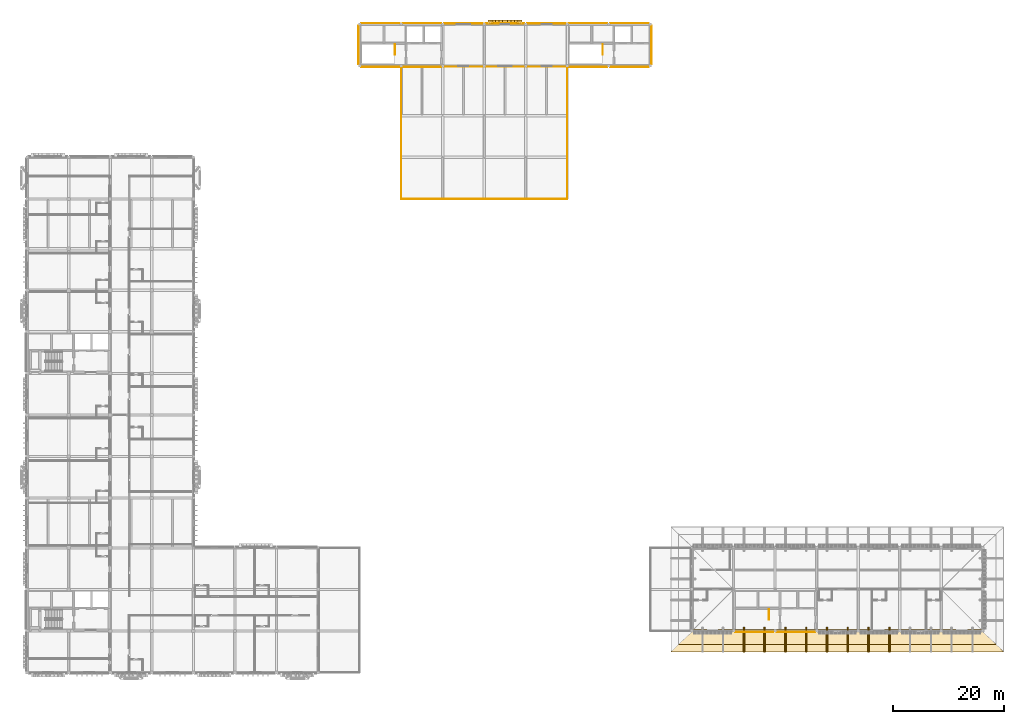
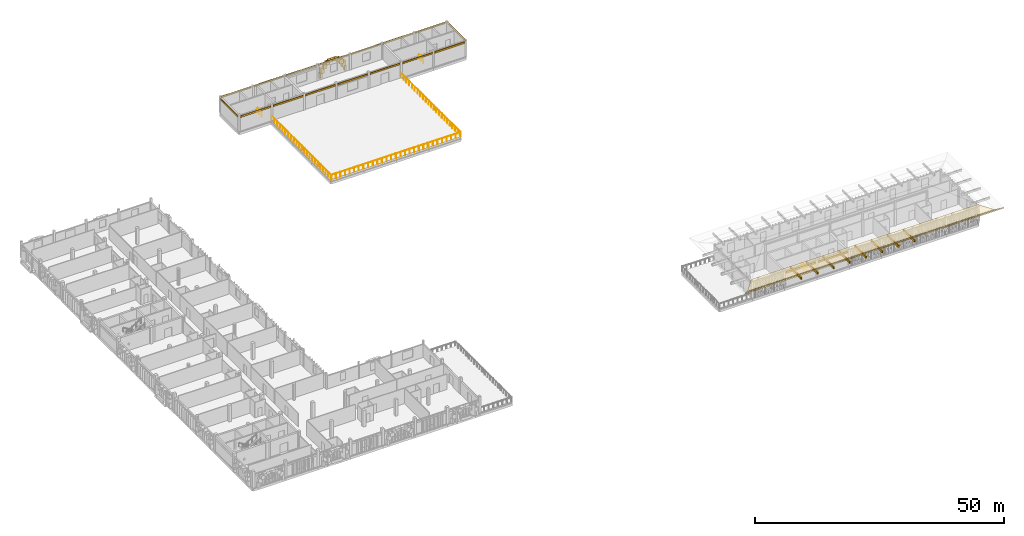
# One storey, part 31 of 33: 39 coverings, 13 railings.
"""IFC4 building model written with IfcOpenShell, lengths in metres."""

from ifc_helpers import new_model, si_unit, direction, frame, origin, origin_2d, place, context, subcontext, project, spatial, polyline, rectangle, circle, outline, extrude, material, layer, layer_set, type_object, element, save


model = new_model("IFC4")

# Units and contexts
model_context = context("Model", 3, precision=1e-05, world=origin(), true_north=direction((0.0, 1.0)))
body_context = subcontext(model_context, "Body", "Model", "MODEL_VIEW")
ifc_project = project(units=[si_unit("LENGTHUNIT", "METRE"), si_unit("AREAUNIT", "SQUARE_METRE"), si_unit("VOLUMEUNIT", "CUBIC_METRE"), si_unit("PLANEANGLEUNIT", "RADIAN"), si_unit("MASSUNIT", "GRAM", prefix="KILO")], contexts=[model_context])

# Site, building, storey
site_placement = place(None, origin())
site = spatial("IfcSite", under=ifc_project, at=site_placement, CompositionType="ELEMENT")
building_placement = place(site_placement, origin())
building = spatial("IfcBuilding", under=site, at=building_placement, Name="Dalvernix Boulevard General Hospital", CompositionType="ELEMENT")
storey_placement = place(building_placement, frame((0.0, 0.0, 21.89990234375)))
storey = spatial("IfcBuildingStorey", under=building, at=storey_placement, Name="L05", CompositionType="ELEMENT", Elevation=21.89990234375)

# Coverings
ifc_material_1 = material(Name="Pressed Catalan clay brick and dressed limestone parabolic archivolt", Category="masonry")
ifc_layer_1 = layer(ifc_material_1, 0.419921875)
ifc_layer_set_1 = layer_set([ifc_layer_1], Name="Pressed Catalan clay brick and dressed limestone parabolic archivolt (COV-ARC-01)")
covering_type_1 = type_object("IfcCoveringType", Name="COV-ARC-01", PredefinedType="CLADDING", material=ifc_layer_set_1)
for number, where, z_axis, x_axis, name in (
    (1, (83.449951171875, 117.4599609375, 0.0), (0.0, 0.0, 1.0), (1.0, 0.0, 0.0), "L05 Catalan parabolic arch impost pier N 11-15-L"),
    (2, (89.050048828125, 117.4599609375, 0.0), (0.0, 0.0, 1.0), (1.0, 0.0, 0.0), "L05 Catalan parabolic arch impost pier N 11-15-R"),
):
    element("IfcCovering", number, at=place(storey_placement, frame(where, z_axis=z_axis, x_axis=x_axis)), inside=storey, type_object=covering_type_1, Name=name, PredefinedType="CLADDING", context=body_context, shape_type="SweptSolid", body=[
        extrude(rectangle(XDim=0.4599609375, YDim=0.659912109375, at=origin_2d()), origin(), (0.0, 0.0, 1.0), 1.25),
    ])
covering_1_placement = place(storey_placement, frame((83.760986328125, 117.4599609375, 1.06005859375), z_axis=(0.0, 0.0, 1.0), x_axis=(1.0, 0.0, 0.0)))
element("IfcCovering", 3, at=covering_1_placement, inside=storey, type_object=covering_type_1, Name="L05 Catalan parabolic archivolt voussoir N 11-15-1", PredefinedType="CLADDING", context=body_context, shape_type="SweptSolid", body=[
    extrude(rectangle(XDim=0.8623046875, YDim=0.659912109375, at=origin_2d()), origin(), (0.0, 0.0, 1.0), 1.328125),
])
covering_2_placement = place(storey_placement, frame((84.38330078125, 117.4599609375, 2.00830078125), z_axis=(0.0, 0.0, 1.0), x_axis=(1.0, 0.0, 0.0)))
element("IfcCovering", 4, at=covering_2_placement, inside=storey, type_object=covering_type_1, Name="L05 Catalan parabolic archivolt voussoir N 11-15-2", PredefinedType="CLADDING", context=body_context, shape_type="SweptSolid", body=[
    extrude(rectangle(XDim=0.8623046875, YDim=0.659912109375, at=origin_2d()), origin(), (0.0, 0.0, 1.0), 1.091064453125),
])
covering_3_placement = place(storey_placement, frame((85.005615234375, 117.4599609375, 2.719482421875), z_axis=(0.0, 0.0, 1.0), x_axis=(1.0, 0.0, 0.0)))
element("IfcCovering", 5, at=covering_3_placement, inside=storey, type_object=covering_type_1, Name="L05 Catalan parabolic archivolt voussoir N 11-15-3", PredefinedType="CLADDING", context=body_context, shape_type="SweptSolid", body=[
    extrude(rectangle(XDim=0.8623046875, YDim=0.659912109375, at=origin_2d()), origin(), (0.0, 0.0, 1.0), 0.85400390625),
])
covering_4_placement = place(storey_placement, frame((85.627685546875, 117.4599609375, 3.193359375), z_axis=(0.0, 0.0, 1.0), x_axis=(1.0, 0.0, 0.0)))
element("IfcCovering", 6, at=covering_4_placement, inside=storey, type_object=covering_type_1, Name="L05 Catalan parabolic archivolt voussoir N 11-15-4", PredefinedType="CLADDING", context=body_context, shape_type="SweptSolid", body=[
    extrude(rectangle(XDim=0.8623046875, YDim=0.659912109375, at=origin_2d()), origin(), (0.0, 0.0, 1.0), 0.616943359375),
])
covering_5_placement = place(storey_placement, frame((86.25, 117.4599609375, 3.4306640625), z_axis=(0.0, 0.0, 1.0), x_axis=(1.0, 0.0, 0.0)))
element("IfcCovering", 7, at=covering_5_placement, inside=storey, type_object=covering_type_1, Name="L05 Catalan parabolic archivolt voussoir N 11-15-5", PredefinedType="CLADDING", context=body_context, shape_type="SweptSolid", body=[
    extrude(rectangle(XDim=0.8623046875, YDim=0.659912109375, at=origin_2d()), origin(), (0.0, 0.0, 1.0), 0.3798828125),
])
covering_6_placement = place(storey_placement, frame((86.872314453125, 117.4599609375, 3.193359375), z_axis=(0.0, 0.0, 1.0), x_axis=(1.0, 0.0, 0.0)))
element("IfcCovering", 8, at=covering_6_placement, inside=storey, type_object=covering_type_1, Name="L05 Catalan parabolic archivolt voussoir N 11-15-6", PredefinedType="CLADDING", context=body_context, shape_type="SweptSolid", body=[
    extrude(rectangle(XDim=0.8623046875, YDim=0.659912109375, at=origin_2d()), origin(), (0.0, 0.0, 1.0), 0.616943359375),
])
covering_7_placement = place(storey_placement, frame((87.494384765625, 117.4599609375, 2.719482421875), z_axis=(0.0, 0.0, 1.0), x_axis=(1.0, 0.0, 0.0)))
element("IfcCovering", 9, at=covering_7_placement, inside=storey, type_object=covering_type_1, Name="L05 Catalan parabolic archivolt voussoir N 11-15-7", PredefinedType="CLADDING", context=body_context, shape_type="SweptSolid", body=[
    extrude(rectangle(XDim=0.8623046875, YDim=0.659912109375, at=origin_2d()), origin(), (0.0, 0.0, 1.0), 0.85400390625),
])
covering_8_placement = place(storey_placement, frame((88.11669921875, 117.4599609375, 2.00830078125), z_axis=(0.0, 0.0, 1.0), x_axis=(1.0, 0.0, 0.0)))
element("IfcCovering", 10, at=covering_8_placement, inside=storey, type_object=covering_type_1, Name="L05 Catalan parabolic archivolt voussoir N 11-15-8", PredefinedType="CLADDING", context=body_context, shape_type="SweptSolid", body=[
    extrude(rectangle(XDim=0.8623046875, YDim=0.659912109375, at=origin_2d()), origin(), (0.0, 0.0, 1.0), 1.091064453125),
])
covering_9_placement = place(storey_placement, frame((88.739013671875, 117.4599609375, 1.06005859375), z_axis=(0.0, 0.0, 1.0), x_axis=(1.0, 0.0, 0.0)))
element("IfcCovering", 11, at=covering_9_placement, inside=storey, type_object=covering_type_1, Name="L05 Catalan parabolic archivolt voussoir N 11-15-9", PredefinedType="CLADDING", context=body_context, shape_type="SweptSolid", body=[
    extrude(rectangle(XDim=0.8623046875, YDim=0.659912109375, at=origin_2d()), origin(), (0.0, 0.0, 1.0), 1.328125),
])
ifc_material_2 = material(Name="Polychrome Catalan glazed ceramic spandrel tile panel")
ifc_layer_2 = layer(ifc_material_2, 0.044921875)
ifc_layer_set_2 = layer_set([ifc_layer_2], Name="Polychrome Catalan glazed ceramic spandrel tile panel (COV-CLD-01)")
covering_type_2 = type_object("IfcCoveringType", Name="COV-CLD-01", PredefinedType="CLADDING", material=ifc_layer_set_2)
for number, where, z_axis, x_axis, name in (
    (12, (63.75, 109.304931640625, 3.294921875), (0.0, 0.0, 1.0), (-1.0, 0.0, 0.0), "L05 polychrome ceramic spandrel S 8-14"),
    (13, (63.75, 117.195068359375, 3.294921875), (0.0, 0.0, 1.0), (1.0, 0.0, 0.0), "L05 polychrome ceramic spandrel N 8-15"),
    (14, (59.804931640625, 113.25, 3.294921875), (0.0, 0.0, 1.0), (0.0, 1.0, 0.0), "L05 polychrome ceramic spandrel W 8-14"),
    (15, (71.25, 109.304931640625, 3.294921875), (0.0, 0.0, 1.0), (-1.0, 0.0, 0.0), "L05 polychrome ceramic spandrel S 9-14"),
    (16, (71.25, 117.195068359375, 3.294921875), (0.0, 0.0, 1.0), (1.0, 0.0, 0.0), "L05 polychrome ceramic spandrel N 9-15"),
    (17, (78.75, 109.330078125, 3.294921875), (0.0, 0.0, 1.0), (-1.0, 0.0, 0.0), "L05 polychrome ceramic spandrel S 10-14"),
    (18, (78.75, 117.169921875, 3.294921875), (0.0, 0.0, 1.0), (1.0, 0.0, 0.0), "L05 polychrome ceramic spandrel N 10-15"),
    (19, (86.25, 109.330078125, 3.294921875), (0.0, 0.0, 1.0), (-1.0, 0.0, 0.0), "L05 polychrome ceramic spandrel S 11-14"),
    (20, (86.25, 117.169921875, 3.294921875), (0.0, 0.0, 1.0), (1.0, 0.0, 0.0), "L05 polychrome ceramic spandrel N 11-15"),
    (21, (93.75, 109.330078125, 3.294921875), (0.0, 0.0, 1.0), (-1.0, 0.0, 0.0), "L05 polychrome ceramic spandrel S 12-14"),
    (22, (93.75, 117.169921875, 3.294921875), (0.0, 0.0, 1.0), (1.0, 0.0, 0.0), "L05 polychrome ceramic spandrel N 12-15"),
    (23, (101.25, 109.304931640625, 3.294921875), (0.0, 0.0, 1.0), (-1.0, 0.0, 0.0), "L05 polychrome ceramic spandrel S 13-14"),
    (24, (101.25, 117.195068359375, 3.294921875), (0.0, 0.0, 1.0), (1.0, 0.0, 0.0), "L05 polychrome ceramic spandrel N 13-15"),
    (25, (108.75, 109.304931640625, 3.294921875), (0.0, 0.0, 1.0), (-1.0, 0.0, 0.0), "L05 polychrome ceramic spandrel S 14-14"),
    (26, (108.75, 117.195068359375, 3.294921875), (0.0, 0.0, 1.0), (1.0, 0.0, 0.0), "L05 polychrome ceramic spandrel N 14-15"),
    (27, (112.695068359375, 113.25, 3.294921875), (0.0, 0.0, 1.0), (0.0, -1.0, 0.0), "L05 polychrome ceramic spandrel E 15-14"),
    (28, (131.25, 7.304931640625, 3.294921875), (0.0, 0.0, 1.0), (-1.0, 0.0, 0.0), "L05 polychrome ceramic spandrel S 17-1"),
    (29, (138.75, 7.304931640625, 3.294921875), (0.0, 0.0, 1.0), (-1.0, 0.0, 0.0), "L05 polychrome ceramic spandrel S 18-1"),
):
    element("IfcCovering", number, at=place(storey_placement, frame(where, z_axis=z_axis, x_axis=x_axis)), inside=storey, type_object=covering_type_2, Name=name, PredefinedType="CLADDING", context=body_context, shape_type="SweptSolid", body=[
        extrude(rectangle(XDim=6.929931640625, YDim=0.044921875, at=origin_2d()), origin(), (0.0, 0.0, 1.0), 0.449951171875),
    ])
ifc_material_3 = material(Name="Glazed Catalan terracotta and iroko timber overhanging upturned eave", Category="masonry")
ifc_layer_3 = layer(ifc_material_3, 0.139892578125)
ifc_layer_set_3 = layer_set([ifc_layer_3], Name="Glazed Catalan terracotta and iroko timber overhanging upturned eave (COV-EAVE-01)")
covering_type_3 = type_object("IfcCoveringType", Name="COV-EAVE-01", PredefinedType="CLADDING", material=ifc_layer_set_3)
covering_10_placement = place(storey_placement, frame((120.0, 7.75, 4.31005859375), z_axis=(0.0, -0.185805173125, 0.982586605669), x_axis=(1.0, 0.0, 0.0)))
element("IfcCovering", 30, at=covering_10_placement, inside=storey, type_object=covering_type_3, Name="V5 overhanging ceramic eave skirt S", PredefinedType="CLADDING", context=body_context, shape_type="SweptSolid", body=[
    extrude(outline(polyline([(0.0, 0.0), (52.5, 0.0), (55.0, -2.798735484621844), (-2.5, -2.798735484621844), (0.0, 0.0)])), origin(), (0.0, 0.0, -1.0), 0.139892578125),
])
covering_11_placement = place(storey_placement, frame((117.5, 5.080078125, 3.7900390625), z_axis=(0.0, 0.543014792189, 0.839723130242), x_axis=(1.0, 0.0, 0.0)))
element("IfcCovering", 31, at=covering_11_placement, inside=storey, type_object=covering_type_3, Name="V5 upturned ceramic eave wing S", PredefinedType="CLADDING", context=body_context, shape_type="SweptSolid", body=[
    extrude(outline(polyline([(0.0, 0.0), (57.5, 0.0), (58.75, -1.5839484195414872), (-1.25, -1.5839484195414872), (0.0, 0.0)])), origin(), (0.0, 0.0, -1.0), 0.139892578125),
])
ifc_material_4 = material(Name="Preservative-treated glulam GL28h eave outlooker corbel bracket", Category="wood")
ifc_layer_4 = layer(ifc_material_4, 0.239990234375)
ifc_layer_set_4 = layer_set([ifc_layer_4], Name="Preservative-treated glulam GL28h eave outlooker corbel bracket (COV-OUTLOOK-01)")
covering_type_4 = type_object("IfcCoveringType", Name="COV-OUTLOOK-01", PredefinedType="CLADDING", material=ifc_layer_set_4)
for number, where, z_axis, x_axis, name in (
    (32, (129.375, 5.925048828125, 3.39013671875), (0.0, 0.0, 1.0), (1.0, 0.0, 0.0), "V5 glulam eave outlooker corbel S-3"),
    (33, (133.125, 5.925048828125, 3.39013671875), (0.0, 0.0, 1.0), (1.0, 0.0, 0.0), "V5 glulam eave outlooker corbel S-4"),
    (34, (136.875, 5.925048828125, 3.39013671875), (0.0, 0.0, 1.0), (1.0, 0.0, 0.0), "V5 glulam eave outlooker corbel S-5"),
    (35, (140.625, 5.925048828125, 3.39013671875), (0.0, 0.0, 1.0), (1.0, 0.0, 0.0), "V5 glulam eave outlooker corbel S-6"),
    (36, (144.375, 5.925048828125, 3.39013671875), (0.0, 0.0, 1.0), (1.0, 0.0, 0.0), "V5 glulam eave outlooker corbel S-7"),
    (37, (148.125, 5.925048828125, 3.39013671875), (0.0, 0.0, 1.0), (1.0, 0.0, 0.0), "V5 glulam eave outlooker corbel S-8"),
    (38, (151.875, 5.925048828125, 3.39013671875), (0.0, 0.0, 1.0), (1.0, 0.0, 0.0), "V5 glulam eave outlooker corbel S-9"),
    (39, (155.625, 5.925048828125, 3.39013671875), (0.0, 0.0, 1.0), (1.0, 0.0, 0.0), "V5 glulam eave outlooker corbel S-10"),
):
    element("IfcCovering", number, at=place(storey_placement, frame(where, z_axis=z_axis, x_axis=x_axis)), inside=storey, type_object=covering_type_4, Name=name, PredefinedType="CLADDING", context=body_context, shape_type="SweptSolid", body=[
        extrude(rectangle(XDim=0.260009765625, YDim=4.449951171875, at=origin_2d()), origin(), (0.0, 0.0, 1.0), 0.52001953125),
    ])

# Railings
ifc_material_5 = material(Name="Galvanized steel helideck perimeter guard", Category="steel")
railing_type_1 = type_object("IfcRailingType", Name="RL-GR-HELI", PredefinedType="BALUSTRADE", material=ifc_material_5)
railing_1_placement = place(storey_placement, frame((67.5, 100.5400390625, 0.0)))
element("IfcRailing", 40, at=railing_1_placement, inside=storey, type_object=railing_type_1, Name="L05 helideck safety balustrade 1", PredefinedType="BALUSTRADE", context=body_context, shape_type="SweptSolid", body=[
    extrude(circle(Radius=0.02392578125, at=origin_2d()), frame((0.0, 0.0, 1.1259765625), z_axis=(0.0, 1.0, 0.0), x_axis=(-1.0, 0.0, 0.0)), (0.0, 0.0, 1.0), 8.869873046875),
    extrude(circle(Radius=0.02099609375, at=origin_2d()), origin(), (0.0, 0.0, 1.0), 1.101806640625),
    extrude(circle(Radius=0.02099609375, at=origin_2d()), frame((0.0, 1.108642578125, 0.0)), (0.0, 0.0, 1.0), 1.101806640625),
    extrude(circle(Radius=0.02099609375, at=origin_2d()), frame((0.0, 2.217529296875, 0.0)), (0.0, 0.0, 1.0), 1.101806640625),
    extrude(circle(Radius=0.02099609375, at=origin_2d()), frame((0.0, 3.326171875, 0.0)), (0.0, 0.0, 1.0), 1.101806640625),
    extrude(circle(Radius=0.02099609375, at=origin_2d()), frame((0.0, 4.43505859375, 0.0)), (0.0, 0.0, 1.0), 1.101806640625),
    extrude(circle(Radius=0.02099609375, at=origin_2d()), frame((0.0, 5.543701171875, 0.0)), (0.0, 0.0, 1.0), 1.101806640625),
    extrude(circle(Radius=0.02099609375, at=origin_2d()), frame((0.0, 6.65234375, 0.0)), (0.0, 0.0, 1.0), 1.101806640625),
    extrude(circle(Radius=0.02099609375, at=origin_2d()), frame((0.0, 7.76123046875, 0.0)), (0.0, 0.0, 1.0), 1.101806640625),
    extrude(circle(Radius=0.02099609375, at=origin_2d()), frame((0.0, 8.869873046875, 0.0)), (0.0, 0.0, 1.0), 1.101806640625),
])
railing_2_placement = place(storey_placement, frame((97.5, 109.409912109375, 0.0)))
element("IfcRailing", 41, at=railing_2_placement, inside=storey, type_object=railing_type_1, Name="L05 helideck safety balustrade 2", PredefinedType="BALUSTRADE", context=body_context, shape_type="SweptSolid", body=[
    extrude(circle(Radius=0.02392578125, at=origin_2d()), frame((0.0, 0.0, 1.1259765625), z_axis=(0.0, -1.0, 0.0), x_axis=(1.0, 0.0, 0.0)), (0.0, 0.0, 1.0), 8.869873046875),
    extrude(circle(Radius=0.02099609375, at=origin_2d()), origin(), (0.0, 0.0, 1.0), 1.101806640625),
    extrude(circle(Radius=0.02099609375, at=origin_2d()), frame((0.0, -1.108642578125, 0.0)), (0.0, 0.0, 1.0), 1.101806640625),
    extrude(circle(Radius=0.02099609375, at=origin_2d()), frame((0.0, -2.217529296875, 0.0)), (0.0, 0.0, 1.0), 1.101806640625),
    extrude(circle(Radius=0.02099609375, at=origin_2d()), frame((0.0, -3.326171875, 0.0)), (0.0, 0.0, 1.0), 1.101806640625),
    extrude(circle(Radius=0.02099609375, at=origin_2d()), frame((0.0, -4.43505859375, 0.0)), (0.0, 0.0, 1.0), 1.101806640625),
    extrude(circle(Radius=0.02099609375, at=origin_2d()), frame((0.0, -5.543701171875, 0.0)), (0.0, 0.0, 1.0), 1.101806640625),
    extrude(circle(Radius=0.02099609375, at=origin_2d()), frame((0.0, -6.65234375, 0.0)), (0.0, 0.0, 1.0), 1.101806640625),
    extrude(circle(Radius=0.02099609375, at=origin_2d()), frame((0.0, -7.76123046875, 0.0)), (0.0, 0.0, 1.0), 1.101806640625),
    extrude(circle(Radius=0.02099609375, at=origin_2d()), frame((0.0, -8.869873046875, 0.0)), (0.0, 0.0, 1.0), 1.101806640625),
])
for number, where, name in (
    (42, (97.5, 100.4599609375, 0.0), "L05 helideck safety balustrade 3"),
    (43, (97.5, 92.9599609375, 0.0), "L05 helideck safety balustrade 4"),
):
    element("IfcRailing", number, at=place(storey_placement, frame(where)), inside=storey, type_object=railing_type_1, Name=name, PredefinedType="BALUSTRADE", context=body_context, shape_type="SweptSolid", body=[
        extrude(circle(Radius=0.02392578125, at=origin_2d()), frame((0.0, 0.0, 1.1259765625), z_axis=(0.0, -1.0, 0.0), x_axis=(1.0, 0.0, 0.0)), (0.0, 0.0, 1.0), 7.419921875),
        extrude(circle(Radius=0.02099609375, at=origin_2d()), origin(), (0.0, 0.0, 1.0), 1.101806640625),
        extrude(circle(Radius=0.02099609375, at=origin_2d()), frame((0.0, -1.06005859375, 0.0)), (0.0, 0.0, 1.0), 1.101806640625),
        extrude(circle(Radius=0.02099609375, at=origin_2d()), frame((0.0, -2.119873046875, 0.0)), (0.0, 0.0, 1.0), 1.101806640625),
        extrude(circle(Radius=0.02099609375, at=origin_2d()), frame((0.0, -3.179931640625, 0.0)), (0.0, 0.0, 1.0), 1.101806640625),
        extrude(circle(Radius=0.02099609375, at=origin_2d()), frame((0.0, -4.239990234375, 0.0)), (0.0, 0.0, 1.0), 1.101806640625),
        extrude(circle(Radius=0.02099609375, at=origin_2d()), frame((0.0, -5.300048828125, 0.0)), (0.0, 0.0, 1.0), 1.101806640625),
        extrude(circle(Radius=0.02099609375, at=origin_2d()), frame((0.0, -6.35986328125, 0.0)), (0.0, 0.0, 1.0), 1.101806640625),
        extrude(circle(Radius=0.02099609375, at=origin_2d()), frame((0.0, -7.419921875, 0.0)), (0.0, 0.0, 1.0), 1.101806640625),
    ])
for number, where, name in (
    (44, (97.4599609375, 85.5, 0.0), "L05 helideck safety balustrade 5"),
    (45, (89.9599609375, 85.5, 0.0), "L05 helideck safety balustrade 6"),
    (46, (82.4599609375, 85.5, 0.0), "L05 helideck safety balustrade 7"),
    (47, (74.9599609375, 85.5, 0.0), "L05 helideck safety balustrade 8"),
):
    element("IfcRailing", number, at=place(storey_placement, frame(where)), inside=storey, type_object=railing_type_1, Name=name, PredefinedType="BALUSTRADE", context=body_context, shape_type="SweptSolid", body=[
        extrude(circle(Radius=0.02392578125, at=origin_2d()), frame((0.0, 0.0, 1.1259765625), z_axis=(-1.0, 0.0, 0.0), x_axis=(0.0, -1.0, 0.0)), (0.0, 0.0, 1.0), 7.419921875),
        extrude(circle(Radius=0.02099609375, at=origin_2d()), origin(), (0.0, 0.0, 1.0), 1.101806640625),
        extrude(circle(Radius=0.02099609375, at=origin_2d()), frame((-1.06005859375, 0.0, 0.0)), (0.0, 0.0, 1.0), 1.101806640625),
        extrude(circle(Radius=0.02099609375, at=origin_2d()), frame((-2.119873046875, 0.0, 0.0)), (0.0, 0.0, 1.0), 1.101806640625),
        extrude(circle(Radius=0.02099609375, at=origin_2d()), frame((-3.179931640625, 0.0, 0.0)), (0.0, 0.0, 1.0), 1.101806640625),
        extrude(circle(Radius=0.02099609375, at=origin_2d()), frame((-4.239990234375, 0.0, 0.0)), (0.0, 0.0, 1.0), 1.101806640625),
        extrude(circle(Radius=0.02099609375, at=origin_2d()), frame((-5.300048828125, 0.0, 0.0)), (0.0, 0.0, 1.0), 1.101806640625),
        extrude(circle(Radius=0.02099609375, at=origin_2d()), frame((-6.35986328125, 0.0, 0.0)), (0.0, 0.0, 1.0), 1.101806640625),
        extrude(circle(Radius=0.02099609375, at=origin_2d()), frame((-7.419921875, 0.0, 0.0)), (0.0, 0.0, 1.0), 1.101806640625),
    ])
for number, where, name in (
    (48, (67.5, 85.5400390625, 0.0), "L05 helideck safety balustrade 9"),
    (49, (67.5, 93.0400390625, 0.0), "L05 helideck safety balustrade 10"),
):
    element("IfcRailing", number, at=place(storey_placement, frame(where)), inside=storey, type_object=railing_type_1, Name=name, PredefinedType="BALUSTRADE", context=body_context, shape_type="SweptSolid", body=[
        extrude(circle(Radius=0.02392578125, at=origin_2d()), frame((0.0, 0.0, 1.1259765625), z_axis=(0.0, 1.0, 0.0), x_axis=(-1.0, 0.0, 0.0)), (0.0, 0.0, 1.0), 7.419921875),
        extrude(circle(Radius=0.02099609375, at=origin_2d()), origin(), (0.0, 0.0, 1.0), 1.101806640625),
        extrude(circle(Radius=0.02099609375, at=origin_2d()), frame((0.0, 1.06005859375, 0.0)), (0.0, 0.0, 1.0), 1.101806640625),
        extrude(circle(Radius=0.02099609375, at=origin_2d()), frame((0.0, 2.119873046875, 0.0)), (0.0, 0.0, 1.0), 1.101806640625),
        extrude(circle(Radius=0.02099609375, at=origin_2d()), frame((0.0, 3.179931640625, 0.0)), (0.0, 0.0, 1.0), 1.101806640625),
        extrude(circle(Radius=0.02099609375, at=origin_2d()), frame((0.0, 4.239990234375, 0.0)), (0.0, 0.0, 1.0), 1.101806640625),
        extrude(circle(Radius=0.02099609375, at=origin_2d()), frame((0.0, 5.300048828125, 0.0)), (0.0, 0.0, 1.0), 1.101806640625),
        extrude(circle(Radius=0.02099609375, at=origin_2d()), frame((0.0, 6.35986328125, 0.0)), (0.0, 0.0, 1.0), 1.101806640625),
        extrude(circle(Radius=0.02099609375, at=origin_2d()), frame((0.0, 7.419921875, 0.0)), (0.0, 0.0, 1.0), 1.101806640625),
    ])
ifc_material_6 = material(Name="Brushed stainless steel balustrade", Category="steel")
railing_type_2 = type_object("IfcRailingType", Name="RL-GR-INT1", PredefinedType="BALUSTRADE", material=ifc_material_6)
for number, where, name in (
    (50, (66.39990234375, 113.39990234375, 0.0), "L05 ST-03 top well guard 1"),
    (51, (103.89990234375, 113.39990234375, 0.0), "L05 ST-04 top well guard 1"),
    (52, (133.89990234375, 11.39990234375, 0.0), "L05 ST-05 top well guard 1"),
):
    element("IfcRailing", number, at=place(storey_placement, frame(where)), inside=storey, type_object=railing_type_2, Name=name, PredefinedType="BALUSTRADE", context=body_context, shape_type="SweptSolid", body=[
        extrude(circle(Radius=0.02392578125, at=origin_2d()), frame((0.0, 0.0, 1.09619140625), z_axis=(0.0, -1.0, 0.0), x_axis=(1.0, 0.0, 0.0)), (0.0, 0.0, 1.0), 1.849853515625),
        extrude(circle(Radius=0.02099609375, at=origin_2d()), origin(), (0.0, 0.0, 1.0), 1.072021484375),
        extrude(circle(Radius=0.02099609375, at=origin_2d()), frame((0.0, -0.9248046875, 0.0)), (0.0, 0.0, 1.0), 1.072021484375),
        extrude(circle(Radius=0.02099609375, at=origin_2d()), frame((0.0, -1.849853515625, 0.0)), (0.0, 0.0, 1.0), 1.072021484375),
    ])

save(model, "model.ifc")
